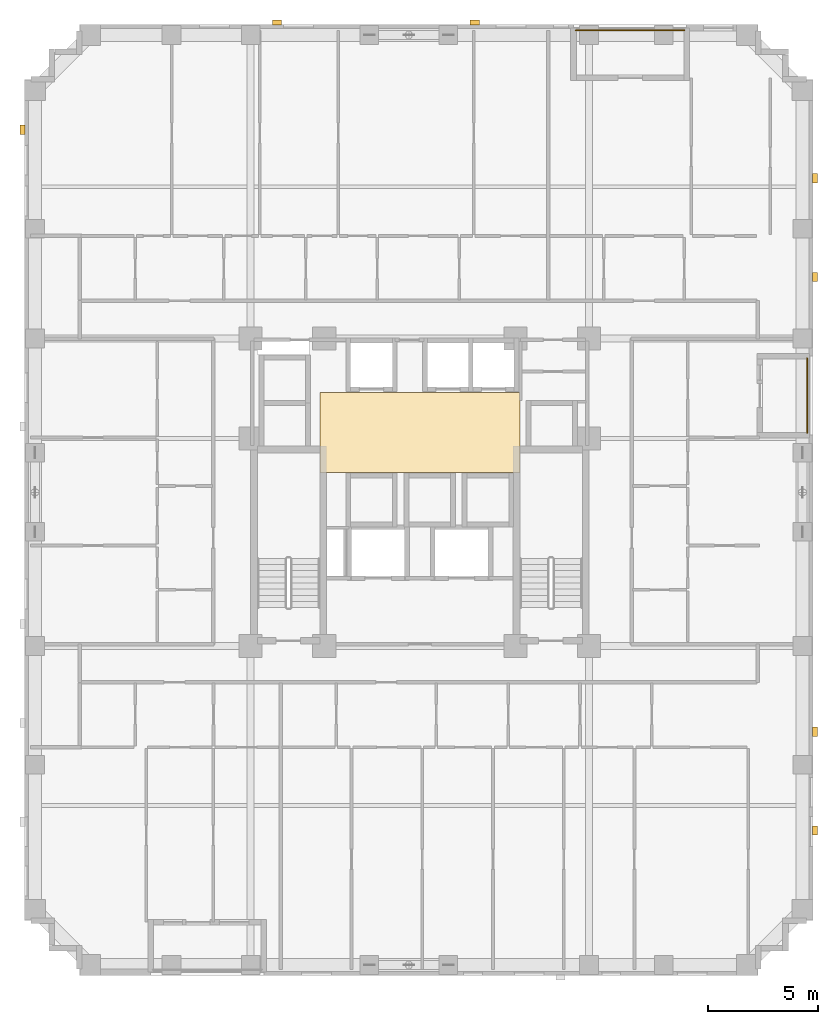
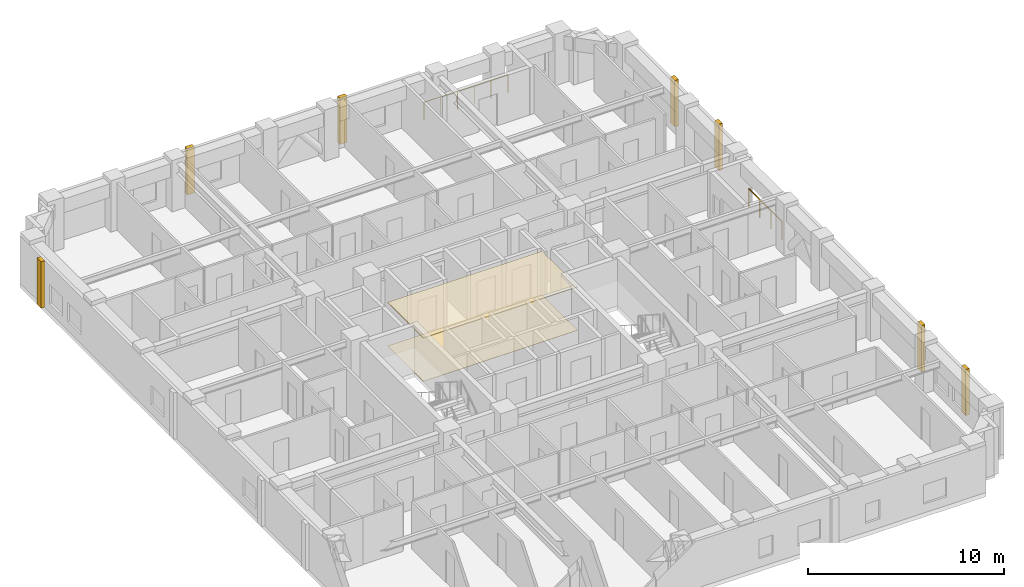
# One storey, part 12 of 12: 9 coverings, 2 railings.
"""IFC4 building model written with IfcOpenShell, lengths in metres."""

import ifcopenshell
import ifcopenshell.guid

model = None  # the IFC model being written
_history = None  # IfcOwnerHistory: only IFC2X3 demands one
_inside = {}  # id of a spatial element -> (the spatial element, [elements in it])
_under = {}  # id of a project, library or spatial element -> (it, [spatial elements below it])
_declared = {}  # id of a project -> (the project, [libraries it declares])
_typed = {}  # id of a type object -> (the type object, [elements of that type])
_made_of = {}  # id of a material, layer set ... -> (it, [elements and type objects made of it])


def new_model(schema):
    """Start an empty IFC model of exactly this schema.

    Asked for "IFC4X3", IfcOpenShell would pick the latest addendum, in which some entities
    have other attributes; the version numbers below select the first issue.
    IFC2X3 requires an IfcOwnerHistory on every rooted entity: one is made here for all.
    """
    global model, _history
    if schema == "IFC4X3":
        model = ifcopenshell.file(schema_version=(4, 3, 0, 0))
    else:
        model = ifcopenshell.file(schema=schema)
    _inside.clear()
    _under.clear()
    _declared.clear()
    _typed.clear()
    _made_of.clear()
    _history = None
    if model.schema == "IFC2X3":
        org = make("IfcOrganization", Name="unknown")
        user = make(
            "IfcPersonAndOrganization",
            ThePerson=make("IfcPerson", FamilyName="unknown"),
            TheOrganization=org,
        )
        app = make(
            "IfcApplication",
            ApplicationDeveloper=org,
            Version="unknown",
            ApplicationFullName="unknown",
            ApplicationIdentifier="unknown",
        )
        _history = make(
            "IfcOwnerHistory",
            OwningUser=user,
            OwningApplication=app,
            ChangeAction="ADDED",
            CreationDate=0,
        )
    return model


def make(cls, **values):
    """One entity of the class cls with the attributes given. An attribute that is None is left unset."""
    return model.create_entity(
        cls, **{name: value for name, value in values.items() if value is not None}
    )


def rooted(cls, **values):
    """An entity with a GlobalId (a new one), such as an element, a storey or a relation."""
    return make(cls, GlobalId=ifcopenshell.guid.new(), OwnerHistory=_history, **values)


def si_unit(unit_type, name, prefix=None):
    """IfcSIUnit, for example si_unit("LENGTHUNIT", "METRE", prefix="MILLI")."""
    return make("IfcSIUnit", UnitType=unit_type, Prefix=prefix, Name=name)


def derived_unit(unit_type, elements):
    """IfcDerivedUnit: a product of units, each with its exponent."""
    return make(
        "IfcDerivedUnit",
        Elements=[
            make("IfcDerivedUnitElement", Unit=unit, Exponent=power)
            for unit, power in elements
        ],
        UnitType=unit_type,
    )


def assignment(units):
    """IfcUnitAssignment: the units of a project."""
    return None if units is None else make("IfcUnitAssignment", Units=units)


def point(xyz):
    """IfcCartesianPoint."""
    return None if xyz is None else make("IfcCartesianPoint", Coordinates=xyz)


def direction(xyz):
    """IfcDirection."""
    return None if xyz is None else make("IfcDirection", DirectionRatios=xyz)


def frame(location, z_axis=None, x_axis=None):
    """IfcAxis2Placement3D, a coordinate frame: its origin and axes. An axis left out is left unset."""
    return make(
        "IfcAxis2Placement3D",
        Location=point(location),
        Axis=direction(z_axis),
        RefDirection=direction(x_axis),
    )


def frame_2d(location, x_axis=None):
    """IfcAxis2Placement2D, a coordinate frame in the plane: its origin and x axis."""
    return make(
        "IfcAxis2Placement2D", Location=point(location), RefDirection=direction(x_axis)
    )


def origin():
    """The frame at (0, 0, 0) with its axes left unset."""
    return frame((0.0, 0.0, 0.0))


def origin_2d():
    """The frame at (0, 0) in the plane with its x axis left unset."""
    return frame_2d((0.0, 0.0))


def place(relative_to, where):
    """IfcLocalPlacement: puts the frame where relative to a parent placement (None: the world)."""
    return make(
        "IfcLocalPlacement", PlacementRelTo=relative_to, RelativePlacement=where
    )


def context(
    kind, dimensions, precision=None, world=None, true_north=None, identifier=None
):
    """IfcGeometricRepresentationContext, for example the 3D "Model" context."""
    return make(
        "IfcGeometricRepresentationContext",
        ContextIdentifier=identifier,
        ContextType=kind,
        CoordinateSpaceDimension=dimensions,
        Precision=precision,
        WorldCoordinateSystem=world,
        TrueNorth=true_north,
    )


def subcontext(parent, identifier, kind, view, scale=None):
    """IfcGeometricRepresentationSubContext, for example "Body" below "Model"."""
    return make(
        "IfcGeometricRepresentationSubContext",
        ContextIdentifier=identifier,
        ContextType=kind,
        ParentContext=parent,
        TargetScale=scale,
        TargetView=view,
    )


def project(units=None, contexts=None):
    """IfcProject with its units and contexts."""
    return rooted(
        "IfcProject",
        Name="project",
        RepresentationContexts=contexts,
        UnitsInContext=assignment(units),
    )


def spatial(cls, under=None, at=None, **own):
    """A site, building, storey or space (cls), placed at a placement, below another one or the project."""
    s = rooted(cls, ObjectPlacement=at, **own)
    if under is not None:
        _under.setdefault(under.id(), (under, []))[1].append(s)
    return s


def polyline(points):
    """IfcPolyline through the points."""
    return make("IfcPolyline", Points=[point(p) for p in points])


def profile(cls, at=None, kind="AREA", **sizes):
    """A parametric profile (cls). Its sizes go by their IFC names, for example OverallWidth=200.0."""
    return make(cls, ProfileType=kind, Position=at, **sizes)


def rectangle(**sizes):
    """IfcRectangleProfileDef."""
    return profile("IfcRectangleProfileDef", **sizes)


def circle(**sizes):
    """IfcCircleProfileDef."""
    return profile("IfcCircleProfileDef", **sizes)


def outline(outer, holes=None, kind="AREA"):
    """IfcArbitraryClosedProfileDef: a profile drawn as a closed curve; with holes, ...WithVoids."""
    if holes is None:
        return make("IfcArbitraryClosedProfileDef", ProfileType=kind, OuterCurve=outer)
    return make(
        "IfcArbitraryProfileDefWithVoids",
        ProfileType=kind,
        OuterCurve=outer,
        InnerCurves=holes,
    )


def extrude(swept, where, along, depth):
    """IfcExtrudedAreaSolid: the profile swept, set in the frame where, extruded along a direction by depth."""
    return make(
        "IfcExtrudedAreaSolid",
        SweptArea=swept,
        Position=where,
        ExtrudedDirection=direction(along),
        Depth=depth,
    )


def shape(context_of_items, identifier, shape_type, items):
    """IfcShapeRepresentation: the items that make up one representation, for example the "Body"."""
    return make(
        "IfcShapeRepresentation",
        ContextOfItems=context_of_items,
        RepresentationIdentifier=identifier,
        RepresentationType=shape_type,
        Items=items,
    )


def material(Name=None, Category=None):
    """IfcMaterial."""
    return make("IfcMaterial", Name=Name, Category=Category)


def layer(
    of_material, thickness, ventilated=None, Name=None, Category=None, Priority=None
):
    """IfcMaterialLayer: one layer of a wall or slab, of a material (None: an air gap)."""
    return make(
        "IfcMaterialLayer",
        Material=of_material,
        LayerThickness=thickness,
        IsVentilated=ventilated,
        Name=Name,
        Category=Category,
        Priority=Priority,
    )


def layer_set(layers, Name=None):
    """IfcMaterialLayerSet."""
    return make("IfcMaterialLayerSet", MaterialLayers=layers, LayerSetName=Name)


def made_of(thing, what):
    """Note that an element or type object is made of a material, layer set ...; save() writes the relation."""
    if what is not None:
        _made_of.setdefault(what.id(), (what, []))[1].append(thing)
    return thing


def type_object(cls, material=None, **own):
    """A type object (cls), such as IfcWallType, which elements share."""
    return made_of(rooted(cls, **own), material)


def element(
    cls,
    number,
    at=None,
    inside=None,
    cuts=None,
    type_object=None,
    material=None,
    context=None,
    identifier="Body",
    shape_type=None,
    held_by="IfcProductDefinitionShape",
    body=None,
    shapes=None,
    **own,
):
    """One element of the class cls, such as IfcWall. Its Tag is "e" and its number.

    at: its placement. inside: the storey or other place that contains it. cuts: it is an
    opening in that element (IfcRelVoidsElement). A single representation is given by context,
    identifier, shape_type and body (its items); several are given by shapes. held_by: the class
    of the entity that holds the representations. save() writes the other relations.
    """
    e = rooted(cls, Tag="e%d" % number, ObjectPlacement=at, **own)
    if body is not None:
        shapes = [shape(context, identifier, shape_type, body)]
    if shapes is not None:
        e.Representation = make(held_by, Representations=shapes)
    if inside is not None:
        _inside.setdefault(inside.id(), (inside, []))[1].append(e)
    if cuts is not None:
        rooted(
            "IfcRelVoidsElement", RelatingBuildingElement=cuts, RelatedOpeningElement=e
        )
    if type_object is not None:
        _typed.setdefault(type_object.id(), (type_object, []))[1].append(e)
    return made_of(e, material)


def aggregate(whole, parts):
    """IfcRelAggregates: a whole, such as a stair, and the parts it consists of."""
    return rooted("IfcRelAggregates", RelatingObject=whole, RelatedObjects=parts)


def save(model, path):
    """Write the relations noted so far, then the file.

    IfcRelAggregates (storeys below a building ...), IfcRelContainedInSpatialStructure (elements
    in a storey), IfcRelDefinesByType, IfcRelAssociatesMaterial and IfcRelDeclares: one each for
    every whole, place, type object, material and project.
    """
    for whole, parts in _under.values():
        aggregate(whole, parts)
    for where, things in _inside.values():
        rooted(
            "IfcRelContainedInSpatialStructure",
            RelatedElements=things,
            RelatingStructure=where,
        )
    for kind, things in _typed.values():
        rooted("IfcRelDefinesByType", RelatedObjects=things, RelatingType=kind)
    for what, things in _made_of.values():
        rooted("IfcRelAssociatesMaterial", RelatedObjects=things, RelatingMaterial=what)
    for by, libraries in _declared.values():
        rooted("IfcRelDeclares", RelatingContext=by, RelatedDefinitions=libraries)
    model.write(path)


model = new_model("IFC4")

# Units and contexts
model_context = context("Model", 3, precision=1e-05, world=origin(), true_north=direction((0.0, 1.0)))
body_context = subcontext(model_context, "Body", "Model", "MODEL_VIEW")
ifc_project = project(units=[si_unit("LENGTHUNIT", "METRE"), si_unit("AREAUNIT", "SQUARE_METRE"), si_unit("VOLUMEUNIT", "CUBIC_METRE"), si_unit("PLANEANGLEUNIT", "RADIAN"), si_unit("MASSUNIT", "GRAM", prefix="KILO"), derived_unit("THERMALTRANSMITTANCEUNIT", [(si_unit("MASSUNIT", "GRAM", prefix="KILO"), 1), (si_unit("TIMEUNIT", "SECOND"), -3), (si_unit("THERMODYNAMICTEMPERATUREUNIT", "KELVIN"), -1)])], contexts=[model_context])

# Site, building, storey
site_placement = place(None, origin())
site = spatial("IfcSite", under=ifc_project, at=site_placement, CompositionType="ELEMENT")
building_placement = place(site_placement, origin())
building = spatial("IfcBuilding", under=site, at=building_placement, Name="Korrvale Station Residences", CompositionType="ELEMENT")
storey_placement = place(building_placement, frame((0.0, 0.0, 81.5)))
storey = spatial("IfcBuildingStorey", under=building, at=storey_placement, Name="L22", CompositionType="ELEMENT", Elevation=81.5)

# Coverings
ifc_material_1 = material(Name="Perforated acoustic mineral-fibre suspended ceiling", Category="gypsum")
ifc_layer_1 = layer(ifc_material_1, 0.050048828125, Name="Perforated acoustic mineral-fibre suspended ceiling")
ifc_layer_set_1 = layer_set([ifc_layer_1], Name="Perforated acoustic mineral-fibre suspended ceiling")
covering_type_1 = type_object("IfcCoveringType", Name="COV-CLG-AC60", PredefinedType="CEILING", material=ifc_layer_set_1)
covering_1_placement = place(storey_placement, frame((0.0, 0.0, 2.68994140625)))
element("IfcCovering", 1, at=covering_1_placement, inside=storey, type_object=covering_type_1, Name="L22 Elevator Lobby Acoustic Ceiling", PredefinedType="CEILING", context=body_context, shape_type="SweptSolid", body=[
    extrude(outline(polyline([(20.949951171875, 22.89990234375), (30.050048828125, 22.89990234375), (30.050048828125, 26.550048828125), (20.949951171875, 26.550048828125), (20.949951171875, 22.89990234375)])), origin(), (0.0, 0.0, 1.0), 0.050048828125),
])
ifc_material_2 = material(Name="Polished quartz-terrazzo lobby flooring", Category="masonry")
ifc_layer_2 = layer(ifc_material_2, 0.02001953125, Name="Polished quartz-terrazzo lobby flooring")
ifc_layer_set_2 = layer_set([ifc_layer_2], Name="Polished quartz-terrazzo lobby flooring")
covering_type_2 = type_object("IfcCoveringType", Name="COV-FLR-TER20", PredefinedType="FLOORING", material=ifc_layer_set_2)
covering_2_placement = place(storey_placement, origin())
element("IfcCovering", 2, at=covering_2_placement, inside=storey, type_object=covering_type_2, Name="L22 Elevator Lobby Terrazzo Flooring", PredefinedType="FLOORING", context=body_context, shape_type="SweptSolid", body=[
    extrude(outline(polyline([(20.949951171875, 22.89990234375), (30.050048828125, 22.89990234375), (30.050048828125, 26.550048828125), (20.949951171875, 26.550048828125), (20.949951171875, 22.89990234375)])), origin(), (0.0, 0.0, 1.0), 0.02001953125),
])
ifc_material_3 = material(Name="Architectural precast concrete C45/55", Category="concrete")
ifc_layer_3 = layer(ifc_material_3, 0.219970703125, Name="Architectural precast concrete C45/55")
ifc_layer_set_3 = layer_set([ifc_layer_3], Name="Architectural precast concrete C45/55")
covering_type_3 = type_object("IfcCoveringType", Name="COV-PIER-400", PredefinedType="CLADDING", material=ifc_layer_set_3)
for number, where, z_axis, x_axis, name in (
    (3, (19.0, 43.389892578125, 0.02490234375), (0.0, 0.0, 1.0), (1.0, 0.0, 0.0), "L22 Architectural Precast Facade Pier 02"),
    (4, (28.0, 43.389892578125, 0.02490234375), (0.0, 0.0, 1.0), (1.0, 0.0, 0.0), "L22 Architectural Precast Facade Pier 03"),
    (5, (7.409912109375, 38.5, 0.02490234375), (0.0, 0.0, 1.0), (0.0, 1.0, 0.0), "L22 Architectural Precast Facade Pier 08"),
    (6, (43.489990234375, 36.300048828125, 0.02490234375), (0.0, 0.0, 1.0), (0.0, 1.0, 0.0), "L22 Architectural Precast Facade Pier 09"),
    (7, (43.489990234375, 31.800048828125, 0.02490234375), (0.0, 0.0, 1.0), (0.0, 1.0, 0.0), "L22 Architectural Precast Facade Pier 10"),
    (8, (43.489990234375, 11.10009765625, 0.02490234375), (0.0, 0.0, 1.0), (0.0, 1.0, 0.0), "L22 Architectural Precast Facade Pier 11"),
    (9, (43.489990234375, 6.60009765625, 0.02490234375), (0.0, 0.0, 1.0), (0.0, 1.0, 0.0), "L22 Architectural Precast Facade Pier 12"),
):
    element("IfcCovering", number, at=place(storey_placement, frame(where, z_axis=z_axis, x_axis=x_axis)), inside=storey, type_object=covering_type_3, Name=name, PredefinedType="CLADDING", context=body_context, shape_type="SweptSolid", body=[
        extrude(rectangle(XDim=0.419921875, YDim=0.219970703125, at=origin_2d()), origin(), (0.0, 0.0, 1.0), 2.889892578125),
    ])

# Railings
ifc_material_4 = material(Name="Powder-coated aluminium picket loggia guard", Category="aluminium")
railing_type = type_object("IfcRailingType", Name="RLG-BAL-1150", PredefinedType="GUARDRAIL", material=ifc_material_4)
railing_1_placement = place(storey_placement, frame((32.60009765625, 43.030029296875, 0.0)))
element("IfcRailing", 10, at=railing_1_placement, inside=storey, type_object=railing_type, Name="L22 Recessed Loggia Guardrail BAL-L22-N1", PredefinedType="GUARDRAIL", context=body_context, shape_type="SweptSolid", body=[
    extrude(circle(Radius=0.02392578125, at=origin_2d()), frame((0.0, 0.0, 1.1259765625), z_axis=(1.0, 0.0, 0.0), x_axis=(0.0, 1.0, 0.0)), (0.0, 0.0, 1.0), 4.949951171875),
    extrude(circle(Radius=0.02099609375, at=origin_2d()), origin(), (0.0, 0.0, 1.0), 1.101806640625),
    extrude(circle(Radius=0.02099609375, at=origin_2d()), frame((0.989990234375, 0.0, 0.0)), (0.0, 0.0, 1.0), 1.101806640625),
    extrude(circle(Radius=0.02099609375, at=origin_2d()), frame((1.97998046875, 0.0, 0.0)), (0.0, 0.0, 1.0), 1.101806640625),
    extrude(circle(Radius=0.02099609375, at=origin_2d()), frame((2.969970703125, 0.0, 0.0)), (0.0, 0.0, 1.0), 1.101806640625),
    extrude(circle(Radius=0.02099609375, at=origin_2d()), frame((3.9599609375, 0.0, 0.0)), (0.0, 0.0, 1.0), 1.101806640625),
    extrude(circle(Radius=0.02099609375, at=origin_2d()), frame((4.949951171875, 0.0, 0.0)), (0.0, 0.0, 1.0), 1.101806640625),
])
railing_2_placement = place(storey_placement, frame((43.1298828125, 24.699951171875, 0.0)))
element("IfcRailing", 11, at=railing_2_placement, inside=storey, type_object=railing_type, Name="L22 Recessed Loggia Guardrail BAL-L22-E1", PredefinedType="GUARDRAIL", context=body_context, shape_type="SweptSolid", body=[
    extrude(circle(Radius=0.02392578125, at=origin_2d()), frame((0.0, 0.0, 1.1259765625), z_axis=(0.0, 1.0, 0.0), x_axis=(-1.0, 0.0, 0.0)), (0.0, 0.0, 1.0), 3.400146484375),
    extrude(circle(Radius=0.02099609375, at=origin_2d()), origin(), (0.0, 0.0, 1.0), 1.101806640625),
    extrude(circle(Radius=0.02099609375, at=origin_2d()), frame((0.0, 1.13330078125, 0.0)), (0.0, 0.0, 1.0), 1.101806640625),
    extrude(circle(Radius=0.02099609375, at=origin_2d()), frame((0.0, 2.266845703125, 0.0)), (0.0, 0.0, 1.0), 1.101806640625),
    extrude(circle(Radius=0.02099609375, at=origin_2d()), frame((0.0, 3.400146484375, 0.0)), (0.0, 0.0, 1.0), 1.101806640625),
])

save(model, "model.ifc")
